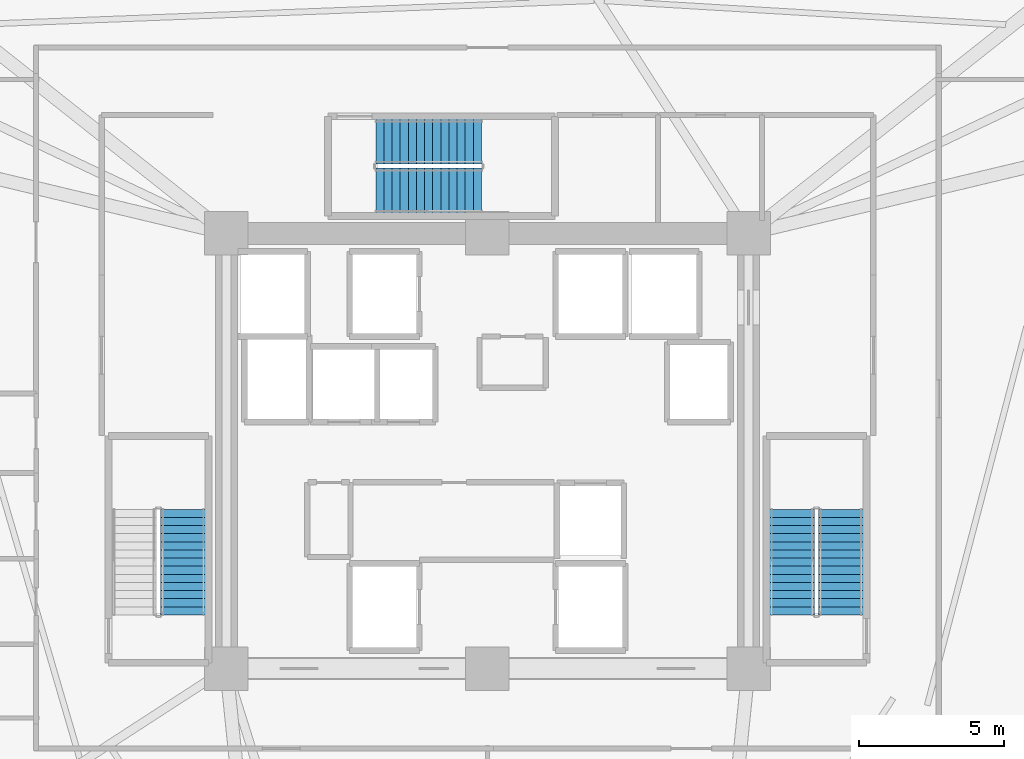
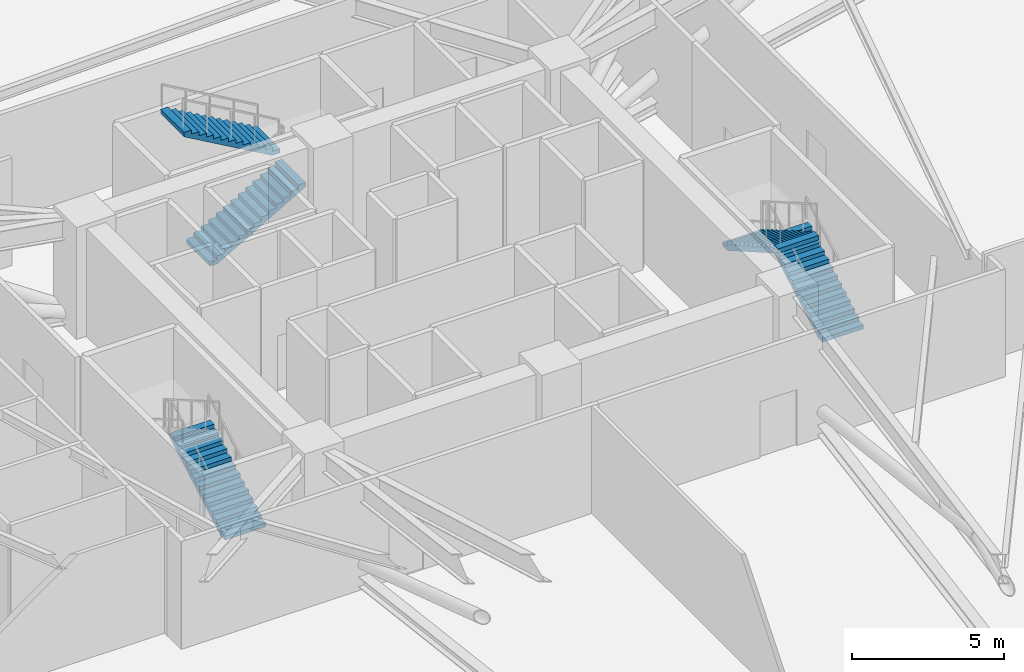
# One storey, part 18 of 23: 5 stair flights, 3 elements without a shape of their own.
"""IFC4 building model written with IfcOpenShell, lengths in metres."""

from ifc_helpers import new_model, si_unit, direction, frame, origin, place, context, subcontext, project, spatial, polyline, outline, extrude, material, type_object, element, aggregate, save


model = new_model("IFC4")

# Units and contexts
model_context = context("Model", 3, precision=1e-05, world=origin(), true_north=direction((0.0, 1.0)))
body_context = subcontext(model_context, "Body", "Model", "MODEL_VIEW")
ifc_project = project(units=[si_unit("LENGTHUNIT", "METRE"), si_unit("AREAUNIT", "SQUARE_METRE"), si_unit("VOLUMEUNIT", "CUBIC_METRE"), si_unit("PLANEANGLEUNIT", "RADIAN"), si_unit("MASSUNIT", "GRAM", prefix="KILO")], contexts=[model_context])

# Site, building, storey
site_placement = place(None, origin())
site = spatial("IfcSite", under=ifc_project, at=site_placement, CompositionType="ELEMENT")
building_placement = place(site_placement, origin())
building = spatial("IfcBuilding", under=site, at=building_placement, Name="Liaohun Quay Tower", CompositionType="ELEMENT")
storey_placement = place(building_placement, frame((0.0, 0.0, 139.5)))
storey = spatial("IfcBuildingStorey", under=building, at=storey_placement, Name="L36", CompositionType="ELEMENT", Elevation=139.5)

# Stair, stair flight
ifc_material = material(Name="Concrete C45", Category="concrete")
stair_type = type_object("IfcStairType", Name="STR-CORE-TALL", PredefinedType="HALF_TURN_STAIR", material=ifc_material)
stair_1_placement = place(storey_placement, origin())
stair_1 = element("IfcStair", 1, at=stair_1_placement, inside=storey, type_object=stair_type, Name="L36 Smokeproof Core Exit Stair ST-1", PredefinedType="HALF_TURN_STAIR")
stair_flight_type = type_object("IfcStairFlightType", Name="FLT-CORE-155", PredefinedType="STRAIGHT", material=ifc_material)
stair_flight_1_placement = place(storey_placement, frame((49.5048828125, 48.35009765625, 0.0), z_axis=(0.0, 0.0, 1.0), x_axis=(0.0, 1.0, 0.0)))
stair_flight_1 = element("IfcStairFlight", 2, at=stair_flight_1_placement, type_object=stair_flight_type, Name="ST-1 flight 1", NumberOfRisers=14, NumberOfTreads=13, PredefinedType="STRAIGHT", RiserHeight=0.160714286, TreadLength=0.28, context=body_context, shape_type="SweptSolid", body=[
    extrude(outline(polyline([(0.0, 0.0), (0.0, 0.16064453125), (0.280029296875, 0.16064453125), (0.280029296875, 0.321533203125), (0.56005859375, 0.321533203125), (0.56005859375, 0.482177734375), (0.840087890625, 0.482177734375), (0.840087890625, 0.642822265625), (1.1201171875, 0.642822265625), (1.1201171875, 0.803466796875), (1.39990234375, 0.803466796875), (1.39990234375, 0.96435546875), (1.679931640625, 0.96435546875), (1.679931640625, 1.125), (1.9599609375, 1.125), (1.9599609375, 1.28564453125), (2.239990234375, 1.28564453125), (2.239990234375, 1.446533203125), (2.52001953125, 1.446533203125), (2.52001953125, 1.607177734375), (2.800048828125, 1.607177734375), (2.800048828125, 1.767822265625), (3.080078125, 1.767822265625), (3.080078125, 1.928466796875), (3.360107421875, 1.928466796875), (3.360107421875, 2.08935546875), (3.639892578125, 2.08935546875), (3.639892578125, 2.25), (3.639892578125, 1.91650390625), (0.301025390625, 0.0), (0.0, 0.0)])), frame((0.0, 0.77490234375, 0.0), z_axis=(0.0, -1.0, 0.0), x_axis=(1.0, 0.0, 0.0)), (0.0, 0.0, 1.0), 1.550048828125),
])
aggregate(stair_1, [stair_flight_1])

# Stair, stair flights
stair_2_placement = place(storey_placement, origin())
stair_2 = element("IfcStair", 3, at=stair_2_placement, inside=storey, type_object=stair_type, Name="L36 Smokeproof Core Exit Stair ST-2", PredefinedType="HALF_TURN_STAIR")
stair_flight_2_placement = place(storey_placement, frame((72.18505859375, 48.35009765625, 0.0), z_axis=(0.0, 0.0, 1.0), x_axis=(0.0, 1.0, 0.0)))
stair_flight_2 = element("IfcStairFlight", 4, at=stair_flight_2_placement, type_object=stair_flight_type, Name="ST-2 flight 1", NumberOfRisers=14, NumberOfTreads=13, PredefinedType="STRAIGHT", RiserHeight=0.160714286, TreadLength=0.28, context=body_context, shape_type="SweptSolid", body=[
    extrude(outline(polyline([(0.0, 0.0), (0.0, 0.16064453125), (0.280029296875, 0.16064453125), (0.280029296875, 0.321533203125), (0.56005859375, 0.321533203125), (0.56005859375, 0.482177734375), (0.840087890625, 0.482177734375), (0.840087890625, 0.642822265625), (1.1201171875, 0.642822265625), (1.1201171875, 0.803466796875), (1.39990234375, 0.803466796875), (1.39990234375, 0.96435546875), (1.679931640625, 0.96435546875), (1.679931640625, 1.125), (1.9599609375, 1.125), (1.9599609375, 1.28564453125), (2.239990234375, 1.28564453125), (2.239990234375, 1.446533203125), (2.52001953125, 1.446533203125), (2.52001953125, 1.607177734375), (2.800048828125, 1.607177734375), (2.800048828125, 1.767822265625), (3.080078125, 1.767822265625), (3.080078125, 1.928466796875), (3.360107421875, 1.928466796875), (3.360107421875, 2.08935546875), (3.639892578125, 2.08935546875), (3.639892578125, 2.25), (3.639892578125, 1.91650390625), (0.301025390625, 0.0), (0.0, 0.0)])), frame((0.0, 0.77490234375, 0.0), z_axis=(0.0, -1.0, 0.0), x_axis=(1.0, 0.0, 0.0)), (0.0, 0.0, 1.0), 1.550048828125),
])
stair_flight_3_placement = place(storey_placement, frame((70.4951171875, 51.989990234375, 2.25), z_axis=(0.0, 0.0, 1.0), x_axis=(0.0, -1.0, 0.0)))
stair_flight_3 = element("IfcStairFlight", 5, at=stair_flight_3_placement, type_object=stair_flight_type, Name="ST-2 flight 2", NumberOfRisers=14, NumberOfTreads=13, PredefinedType="STRAIGHT", RiserHeight=0.160714286, TreadLength=0.28, context=body_context, shape_type="SweptSolid", body=[
    extrude(outline(polyline([(0.0, 0.0), (0.0, 0.16064453125), (0.280029296875, 0.16064453125), (0.280029296875, 0.321533203125), (0.56005859375, 0.321533203125), (0.56005859375, 0.482177734375), (0.840087890625, 0.482177734375), (0.840087890625, 0.642822265625), (1.1201171875, 0.642822265625), (1.1201171875, 0.803466796875), (1.39990234375, 0.803466796875), (1.39990234375, 0.96435546875), (1.679931640625, 0.96435546875), (1.679931640625, 1.125), (1.9599609375, 1.125), (1.9599609375, 1.28564453125), (2.239990234375, 1.28564453125), (2.239990234375, 1.446533203125), (2.52001953125, 1.446533203125), (2.52001953125, 1.607177734375), (2.800048828125, 1.607177734375), (2.800048828125, 1.767822265625), (3.080078125, 1.767822265625), (3.080078125, 1.928466796875), (3.360107421875, 1.928466796875), (3.360107421875, 2.08935546875), (3.639892578125, 2.08935546875), (3.639892578125, 2.25), (3.639892578125, 1.91650390625), (0.301025390625, 0.0), (0.0, 0.0)])), frame((0.0, 0.77490234375, 0.0), z_axis=(0.0, -1.0, 0.0), x_axis=(1.0, 0.0, 0.0)), (0.0, 0.0, 1.0), 1.550048828125),
])
aggregate(stair_2, [stair_flight_2, stair_flight_3])

stair_3_placement = place(storey_placement, origin())
stair_3 = element("IfcStair", 6, at=stair_3_placement, inside=storey, type_object=stair_type, Name="L36 Smokeproof Core Exit Stair ST-3", PredefinedType="HALF_TURN_STAIR")
stair_flight_4_placement = place(storey_placement, frame((56.14990234375, 62.97509765625, 0.0), z_axis=(0.0, 0.0, 1.0), x_axis=(1.0, 0.0, 0.0)))
stair_flight_4 = element("IfcStairFlight", 7, at=stair_flight_4_placement, type_object=stair_flight_type, Name="ST-3 flight 1", NumberOfRisers=14, NumberOfTreads=13, PredefinedType="STRAIGHT", RiserHeight=0.160714286, TreadLength=0.28, context=body_context, shape_type="SweptSolid", body=[
    extrude(outline(polyline([(0.0, 0.0), (0.0, 0.16064453125), (0.280029296875, 0.16064453125), (0.280029296875, 0.321533203125), (0.56005859375, 0.321533203125), (0.56005859375, 0.482177734375), (0.840087890625, 0.482177734375), (0.840087890625, 0.642822265625), (1.1201171875, 0.642822265625), (1.1201171875, 0.803466796875), (1.39990234375, 0.803466796875), (1.39990234375, 0.96435546875), (1.679931640625, 0.96435546875), (1.679931640625, 1.125), (1.9599609375, 1.125), (1.9599609375, 1.28564453125), (2.239990234375, 1.28564453125), (2.239990234375, 1.446533203125), (2.52001953125, 1.446533203125), (2.52001953125, 1.607177734375), (2.800048828125, 1.607177734375), (2.800048828125, 1.767822265625), (3.080078125, 1.767822265625), (3.080078125, 1.928466796875), (3.360107421875, 1.928466796875), (3.360107421875, 2.08935546875), (3.639892578125, 2.08935546875), (3.639892578125, 2.25), (3.639892578125, 1.91650390625), (0.301025390625, 0.0), (0.0, 0.0)])), frame((0.0, 0.77490234375, 0.0), z_axis=(0.0, -1.0, 0.0), x_axis=(1.0, 0.0, 0.0)), (0.0, 0.0, 1.0), 1.550048828125),
])
stair_flight_5_placement = place(storey_placement, frame((59.7900390625, 64.6650390625, 2.25), z_axis=(0.0, 0.0, 1.0), x_axis=(-1.0, 0.0, 0.0)))
stair_flight_5 = element("IfcStairFlight", 8, at=stair_flight_5_placement, type_object=stair_flight_type, Name="ST-3 flight 2", NumberOfRisers=14, NumberOfTreads=13, PredefinedType="STRAIGHT", RiserHeight=0.160714286, TreadLength=0.28, context=body_context, shape_type="SweptSolid", body=[
    extrude(outline(polyline([(0.0, 0.0), (0.0, 0.16064453125), (0.280029296875, 0.16064453125), (0.280029296875, 0.321533203125), (0.56005859375, 0.321533203125), (0.56005859375, 0.482177734375), (0.840087890625, 0.482177734375), (0.840087890625, 0.642822265625), (1.1201171875, 0.642822265625), (1.1201171875, 0.803466796875), (1.39990234375, 0.803466796875), (1.39990234375, 0.96435546875), (1.679931640625, 0.96435546875), (1.679931640625, 1.125), (1.9599609375, 1.125), (1.9599609375, 1.28564453125), (2.239990234375, 1.28564453125), (2.239990234375, 1.446533203125), (2.52001953125, 1.446533203125), (2.52001953125, 1.607177734375), (2.800048828125, 1.607177734375), (2.800048828125, 1.767822265625), (3.080078125, 1.767822265625), (3.080078125, 1.928466796875), (3.360107421875, 1.928466796875), (3.360107421875, 2.08935546875), (3.639892578125, 2.08935546875), (3.639892578125, 2.25), (3.639892578125, 1.91650390625), (0.301025390625, 0.0), (0.0, 0.0)])), frame((0.0, 0.77490234375, 0.0), z_axis=(0.0, -1.0, 0.0), x_axis=(1.0, 0.0, 0.0)), (0.0, 0.0, 1.0), 1.550048828125),
])
aggregate(stair_3, [stair_flight_4, stair_flight_5])

save(model, "model.ifc")
